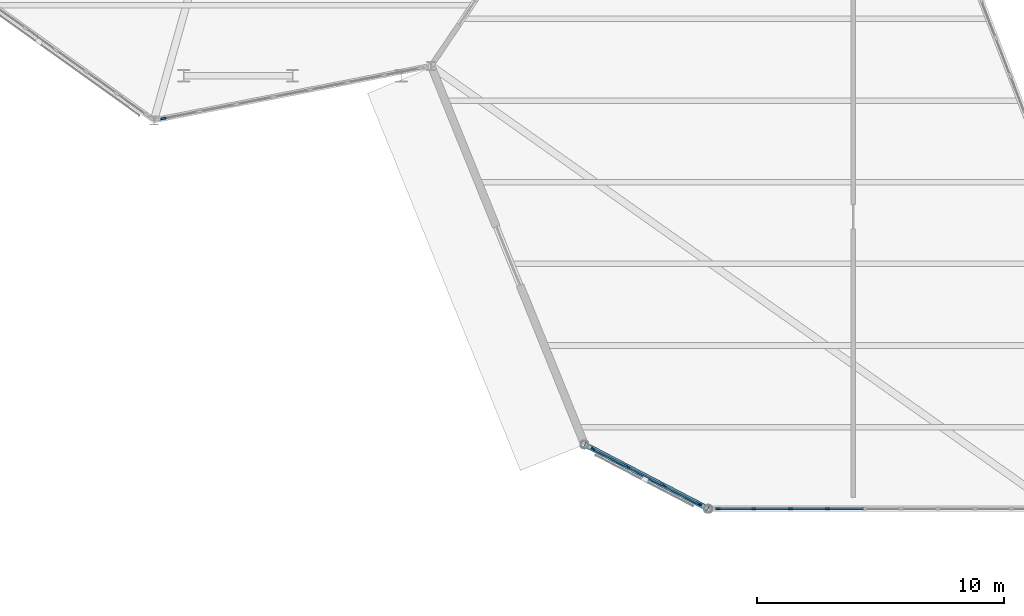
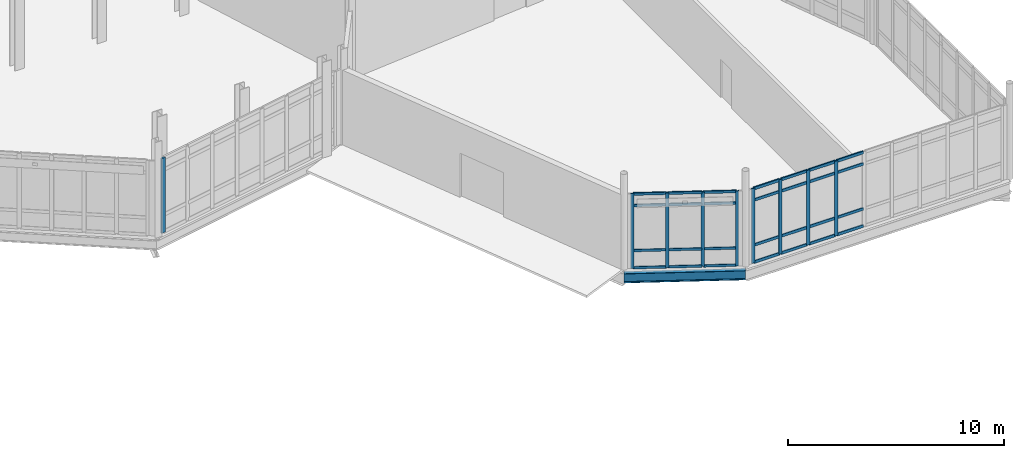
# One storey, part 53 of 113: 37 members, 1 beam, 3 elements without a shape of their own.
"""IFC4 building model written with IfcOpenShell, lengths in metres."""

from ifc_helpers import new_model, si_unit, direction, frame, origin, origin_2d, place, context, subcontext, project, spatial, rectangle, i_section, extrude, material, material_profile, profile_set, type_object, element, aggregate, save


model = new_model("IFC4")

# Units and contexts
model_context = context("Model", 3, precision=1e-05, world=origin(), true_north=direction((0.0, 1.0)))
body_context = subcontext(model_context, "Body", "Model", "MODEL_VIEW")
ifc_project = project(units=[si_unit("LENGTHUNIT", "METRE"), si_unit("AREAUNIT", "SQUARE_METRE"), si_unit("VOLUMEUNIT", "CUBIC_METRE"), si_unit("PLANEANGLEUNIT", "RADIAN"), si_unit("MASSUNIT", "GRAM", prefix="KILO")], contexts=[model_context])

# Site, building, storey
site_placement = place(None, origin())
site = spatial("IfcSite", under=ifc_project, at=site_placement, CompositionType="ELEMENT")
building_placement = place(site_placement, origin())
building = spatial("IfcBuilding", under=site, at=building_placement, Name="Tameran Prism Museum", CompositionType="ELEMENT")
storey_placement = place(building_placement, origin())
storey = spatial("IfcBuildingStorey", under=building, at=storey_placement, Name="L00", CompositionType="ELEMENT", Elevation=0.0)

# Beam
ifc_material_1 = material(Name="Steel Grade 300PLUS (300 MPa)", Category="steel")
ifc_material_profile_1 = material_profile(ifc_material_1, i_section(OverallWidth=0.208984375, OverallDepth=0.528076171875, WebThickness=0.009521484375, FlangeThickness=0.01318359375, FilletRadius=0.013916015625, at=origin_2d()))
ifc_profile_set_1 = profile_set([ifc_material_profile_1])
beam_type = type_object("IfcBeamType", Name="BM-SP530B", PredefinedType="SPANDREL", material=ifc_profile_set_1)
beam_placement = place(storey_placement, frame((147.300048828125, 2.60009765625, -0.50390625), z_axis=(0.887209708306, -0.461366376634, 0.0), x_axis=(0.461366376634, 0.887209708306, 0.0)))
element("IfcBeam", 1, at=beam_placement, inside=storey, type_object=beam_type, Name="Perimeter Spandrel SP-0049", PredefinedType="SPANDREL", context=body_context, shape_type="SweptSolid", body=[
    extrude(i_section(OverallWidth=0.208984375, OverallDepth=0.528076171875, WebThickness=0.009521484375, FlangeThickness=0.01318359375, FilletRadius=0.013916015625, at=origin_2d()), origin(), (0.0, 0.0, 1.0), 5.6357421875),
])

# Curtain wall, members
ifc_material_2 = material(Name="Anodised Aluminium 6063-T6 and Cyclone Solar Glass", Category="aluminium")
curtain_wall_type_1 = type_object("IfcCurtainWallType", Name="CW-FAC-494x422", PredefinedType="USERDEFINED", material=ifc_material_2)
curtain_wall_1_placement = place(storey_placement, origin())
curtain_wall_1 = element("IfcCurtainWall", 2, at=curtain_wall_1_placement, inside=storey, type_object=curtain_wall_type_1, Name="Unitised Curtain Wall CW-039", ObjectType="UNITISED CURTAIN WALL", PredefinedType="USERDEFINED")
ifc_material_3 = material(Name="Anodised Aluminium Alloy 6063-T6", Category="aluminium")
ifc_material_profile_2 = material_profile(ifc_material_3, rectangle(XDim=0.06494140625, YDim=0.159912109375, at=origin_2d()))
ifc_profile_set_2 = profile_set([ifc_material_profile_2])
member_type_1 = type_object("IfcMemberType", Name="CW-MUL-A", PredefinedType="MULLION", material=ifc_profile_set_2)
member_1_placement = place(storey_placement, frame((151.960205078125, 0.176025390625, 0.0), z_axis=(0.0, 0.0, 1.0), x_axis=(-0.461582398188, -0.887097339463, 0.0)))
member_1 = element("IfcMember", 3, at=member_1_placement, type_object=member_type_1, Name="CW-039 mullion 1", PredefinedType="MULLION", context=body_context, shape_type="SweptSolid", body=[
    extrude(rectangle(XDim=0.06494140625, YDim=0.159912109375, at=origin_2d()), origin(), (0.0, 0.0, 1.0), 4.219970703125),
])
member_2_placement = place(storey_placement, frame((150.52978515625, 0.92041015625, 0.0), z_axis=(0.0, 0.0, 1.0), x_axis=(-0.461582398188, -0.887097339463, 0.0)))
member_2 = element("IfcMember", 4, at=member_2_placement, type_object=member_type_1, Name="CW-039 mullion 2", PredefinedType="MULLION", context=body_context, shape_type="SweptSolid", body=[
    extrude(rectangle(XDim=0.06494140625, YDim=0.159912109375, at=origin_2d()), origin(), (0.0, 0.0, 1.0), 4.219970703125),
])
member_3_placement = place(storey_placement, frame((149.0703125, 1.6796875, 0.0), z_axis=(0.0, 0.0, 1.0), x_axis=(-0.461582398188, -0.887097339463, 0.0)))
member_3 = element("IfcMember", 5, at=member_3_placement, type_object=member_type_1, Name="CW-039 mullion 3", PredefinedType="MULLION", context=body_context, shape_type="SweptSolid", body=[
    extrude(rectangle(XDim=0.06494140625, YDim=0.159912109375, at=origin_2d()), origin(), (0.0, 0.0, 1.0), 4.219970703125),
])
member_4_placement = place(storey_placement, frame((147.639892578125, 2.424072265625, 0.0), z_axis=(0.0, 0.0, 1.0), x_axis=(-0.461582398188, -0.887097339463, 0.0)))
member_4 = element("IfcMember", 6, at=member_4_placement, type_object=member_type_1, Name="CW-039 mullion 4", PredefinedType="MULLION", context=body_context, shape_type="SweptSolid", body=[
    extrude(rectangle(XDim=0.06494140625, YDim=0.159912109375, at=origin_2d()), origin(), (0.0, 0.0, 1.0), 4.219970703125),
])

ifc_material_4 = material(Name="Anodised Aluminium 6063-T6 and Cyclone Solar Glass", Category="aluminium")
curtain_wall_type_2 = type_object("IfcCurtainWallType", Name="CW-FAC-1340x422", PredefinedType="USERDEFINED", material=ifc_material_4)
curtain_wall_2_placement = place(storey_placement, origin())
curtain_wall_2 = element("IfcCurtainWall", 7, at=curtain_wall_2_placement, inside=storey, type_object=curtain_wall_type_2, Name="Unitised Curtain Wall CW-040", ObjectType="UNITISED CURTAIN WALL", PredefinedType="USERDEFINED")
ifc_material_5 = material(Name="Anodised Aluminium Alloy 6063-T6", Category="aluminium")
ifc_material_profile_3 = material_profile(ifc_material_5, rectangle(XDim=0.070068359375, YDim=0.179931640625, at=origin_2d()))
ifc_profile_set_3 = profile_set([ifc_material_profile_3])
member_type_2 = type_object("IfcMemberType", Name="CW-MUL-B", PredefinedType="MULLION", material=ifc_profile_set_3)
member_5_placement = place(storey_placement, frame((157.11669921875, 0.0, 0.0), z_axis=(0.0, 0.0, 1.0), x_axis=(0.0, -1.0, 0.0)))
member_5 = element("IfcMember", 8, at=member_5_placement, type_object=member_type_2, Name="CW-040 mullion 7", PredefinedType="MULLION", context=body_context, shape_type="SweptSolid", body=[
    extrude(rectangle(XDim=0.070068359375, YDim=0.179931640625, at=origin_2d()), origin(), (0.0, 0.0, 1.0), 4.219970703125),
])
member_6_placement = place(storey_placement, frame((155.627685546875, 0.0, 0.0), z_axis=(0.0, 0.0, 1.0), x_axis=(0.0, -1.0, 0.0)))
member_6 = element("IfcMember", 9, at=member_6_placement, type_object=member_type_2, Name="CW-040 mullion 8", PredefinedType="MULLION", context=body_context, shape_type="SweptSolid", body=[
    extrude(rectangle(XDim=0.070068359375, YDim=0.179931640625, at=origin_2d()), origin(), (0.0, 0.0, 1.0), 4.219970703125),
])
member_7_placement = place(storey_placement, frame((154.138916015625, 0.0, 0.0), z_axis=(0.0, 0.0, 1.0), x_axis=(0.0, -1.0, 0.0)))
member_7 = element("IfcMember", 10, at=member_7_placement, type_object=member_type_2, Name="CW-040 mullion 9", PredefinedType="MULLION", context=body_context, shape_type="SweptSolid", body=[
    extrude(rectangle(XDim=0.070068359375, YDim=0.179931640625, at=origin_2d()), origin(), (0.0, 0.0, 1.0), 4.219970703125),
])
member_8_placement = place(storey_placement, frame((152.68505859375, 0.0, 0.0), z_axis=(0.0, 0.0, 1.0), x_axis=(0.0, -1.0, 0.0)))
member_8 = element("IfcMember", 11, at=member_8_placement, type_object=member_type_2, Name="CW-040 mullion 10", PredefinedType="MULLION", context=body_context, shape_type="SweptSolid", body=[
    extrude(rectangle(XDim=0.070068359375, YDim=0.179931640625, at=origin_2d()), origin(), (0.0, 0.0, 1.0), 4.219970703125),
])

# Curtain wall, member
ifc_material_6 = material(Name="Anodised Aluminium 6063-T6 and Cyclone Solar Glass", Category="aluminium")
curtain_wall_type_3 = type_object("IfcCurtainWallType", Name="CW-FAC-1065x422", PredefinedType="USERDEFINED", material=ifc_material_6)
curtain_wall_3_placement = place(storey_placement, origin())
curtain_wall_3 = element("IfcCurtainWall", 12, at=curtain_wall_3_placement, inside=storey, type_object=curtain_wall_type_3, Name="Unitised Curtain Wall CW-038", ObjectType="UNITISED CURTAIN WALL", PredefinedType="USERDEFINED")
ifc_material_7 = material(Name="Anodised Aluminium Alloy 6063-T6", Category="aluminium")
ifc_material_profile_4 = material_profile(ifc_material_7, rectangle(XDim=0.080078125, YDim=0.219970703125, at=origin_2d()))
ifc_profile_set_4 = profile_set([ifc_material_profile_4])
member_type_3 = type_object("IfcMemberType", Name="CW-MUL-D", PredefinedType="MULLION", material=ifc_profile_set_4)
member_9_placement = place(storey_placement, frame((130.2822265625, 15.774658203125, 0.0), z_axis=(0.0, 0.0, 1.0), x_axis=(0.192775964228, -0.981242797485, 0.0)))
member_9 = element("IfcMember", 13, at=member_9_placement, type_object=member_type_3, Name="CW-038 mullion 8", PredefinedType="MULLION", context=body_context, shape_type="SweptSolid", body=[
    extrude(rectangle(XDim=0.080078125, YDim=0.219970703125, at=origin_2d()), origin(), (0.0, 0.0, 1.0), 4.219970703125),
])
aggregate(curtain_wall_3, [member_9])

# Member
ifc_material_8 = material(Name="Anodised Aluminium Alloy 6063-T6", Category="aluminium")
ifc_material_profile_5 = material_profile(ifc_material_8, rectangle(XDim=0.06494140625, YDim=0.139892578125, at=origin_2d()))
ifc_profile_set_5 = profile_set([ifc_material_profile_5])
member_type_4 = type_object("IfcMemberType", Name="CW-TRN-A", PredefinedType="USERDEFINED", material=ifc_profile_set_5)
member_10_placement = place(storey_placement, frame((151.931396484375, 0.19091796875, 0.032470703125), z_axis=(-0.887085033398, 0.461606047968, 0.0), x_axis=(-0.461606047968, -0.887085033398, 0.0)))
member_10 = element("IfcMember", 14, at=member_10_placement, type_object=member_type_4, Name="CW-039 transom 1.1", ObjectType="TRANSOM", PredefinedType="USERDEFINED", context=body_context, shape_type="SweptSolid", body=[
    extrude(rectangle(XDim=0.06494140625, YDim=0.139892578125, at=origin_2d()), origin(), (0.0, 0.0, 1.0), 1.547607421875),
])

member_11_placement = place(storey_placement, frame((151.931396484375, 0.19091796875, 1.0), z_axis=(-0.887085033398, 0.461606047968, 0.0), x_axis=(-0.461606047968, -0.887085033398, 0.0)))
member_11 = element("IfcMember", 15, at=member_11_placement, type_object=member_type_4, Name="CW-039 transom 1.2", ObjectType="TRANSOM", PredefinedType="USERDEFINED", context=body_context, shape_type="SweptSolid", body=[
    extrude(rectangle(XDim=0.06494140625, YDim=0.139892578125, at=origin_2d()), origin(), (0.0, 0.0, 1.0), 1.547607421875),
])

member_12_placement = place(storey_placement, frame((151.931396484375, 0.19091796875, 3.5400390625), z_axis=(-0.887085033398, 0.461606047968, 0.0), x_axis=(-0.461606047968, -0.887085033398, 0.0)))
member_12 = element("IfcMember", 16, at=member_12_placement, type_object=member_type_4, Name="CW-039 transom 1.3", ObjectType="TRANSOM", PredefinedType="USERDEFINED", context=body_context, shape_type="SweptSolid", body=[
    extrude(rectangle(XDim=0.06494140625, YDim=0.139892578125, at=origin_2d()), origin(), (0.0, 0.0, 1.0), 1.547607421875),
])

member_13_placement = place(storey_placement, frame((151.931396484375, 0.19091796875, 4.1875), z_axis=(-0.887085033398, 0.461606047968, 0.0), x_axis=(-0.461606047968, -0.887085033398, 0.0)))
member_13 = element("IfcMember", 17, at=member_13_placement, type_object=member_type_4, Name="CW-039 transom 1.4", ObjectType="TRANSOM", PredefinedType="USERDEFINED", context=body_context, shape_type="SweptSolid", body=[
    extrude(rectangle(XDim=0.06494140625, YDim=0.139892578125, at=origin_2d()), origin(), (0.0, 0.0, 1.0), 1.547607421875),
])

member_14_placement = place(storey_placement, frame((150.500732421875, 0.935302734375, 0.032470703125), z_axis=(-0.887110519535, 0.461557067036, 0.0), x_axis=(-0.461557067036, -0.887110519535, 0.0)))
member_14 = element("IfcMember", 18, at=member_14_placement, type_object=member_type_4, Name="CW-039 transom 2.1", ObjectType="TRANSOM", PredefinedType="USERDEFINED", context=body_context, shape_type="SweptSolid", body=[
    extrude(rectangle(XDim=0.06494140625, YDim=0.139892578125, at=origin_2d()), origin(), (0.0, 0.0, 1.0), 1.580078125),
])

member_15_placement = place(storey_placement, frame((150.500732421875, 0.935302734375, 1.0), z_axis=(-0.887110519535, 0.461557067036, 0.0), x_axis=(-0.461557067036, -0.887110519535, 0.0)))
member_15 = element("IfcMember", 19, at=member_15_placement, type_object=member_type_4, Name="CW-039 transom 2.2", ObjectType="TRANSOM", PredefinedType="USERDEFINED", context=body_context, shape_type="SweptSolid", body=[
    extrude(rectangle(XDim=0.06494140625, YDim=0.139892578125, at=origin_2d()), origin(), (0.0, 0.0, 1.0), 1.580078125),
])

member_16_placement = place(storey_placement, frame((150.500732421875, 0.935302734375, 3.5400390625), z_axis=(-0.887110519535, 0.461557067036, 0.0), x_axis=(-0.461557067036, -0.887110519535, 0.0)))
member_16 = element("IfcMember", 20, at=member_16_placement, type_object=member_type_4, Name="CW-039 transom 2.3", ObjectType="TRANSOM", PredefinedType="USERDEFINED", context=body_context, shape_type="SweptSolid", body=[
    extrude(rectangle(XDim=0.06494140625, YDim=0.139892578125, at=origin_2d()), origin(), (0.0, 0.0, 1.0), 1.580078125),
])

member_17_placement = place(storey_placement, frame((150.500732421875, 0.935302734375, 4.1875), z_axis=(-0.887110519535, 0.461557067036, 0.0), x_axis=(-0.461557067036, -0.887110519535, 0.0)))
member_17 = element("IfcMember", 21, at=member_17_placement, type_object=member_type_4, Name="CW-039 transom 2.4", ObjectType="TRANSOM", PredefinedType="USERDEFINED", context=body_context, shape_type="SweptSolid", body=[
    extrude(rectangle(XDim=0.06494140625, YDim=0.139892578125, at=origin_2d()), origin(), (0.0, 0.0, 1.0), 1.580078125),
])

member_18_placement = place(storey_placement, frame((149.04150390625, 1.694580078125, 0.032470703125), z_axis=(-0.887085033398, 0.461606047968, 0.0), x_axis=(-0.461606047968, -0.887085033398, 0.0)))
member_18 = element("IfcMember", 22, at=member_18_placement, type_object=member_type_4, Name="CW-039 transom 3.1", ObjectType="TRANSOM", PredefinedType="USERDEFINED", context=body_context, shape_type="SweptSolid", body=[
    extrude(rectangle(XDim=0.06494140625, YDim=0.139892578125, at=origin_2d()), origin(), (0.0, 0.0, 1.0), 1.547607421875),
])

member_19_placement = place(storey_placement, frame((149.04150390625, 1.694580078125, 1.0), z_axis=(-0.887085033398, 0.461606047968, 0.0), x_axis=(-0.461606047968, -0.887085033398, 0.0)))
member_19 = element("IfcMember", 23, at=member_19_placement, type_object=member_type_4, Name="CW-039 transom 3.2", ObjectType="TRANSOM", PredefinedType="USERDEFINED", context=body_context, shape_type="SweptSolid", body=[
    extrude(rectangle(XDim=0.06494140625, YDim=0.139892578125, at=origin_2d()), origin(), (0.0, 0.0, 1.0), 1.547607421875),
])

member_20_placement = place(storey_placement, frame((149.04150390625, 1.694580078125, 3.5400390625), z_axis=(-0.887085033398, 0.461606047968, 0.0), x_axis=(-0.461606047968, -0.887085033398, 0.0)))
member_20 = element("IfcMember", 24, at=member_20_placement, type_object=member_type_4, Name="CW-039 transom 3.3", ObjectType="TRANSOM", PredefinedType="USERDEFINED", context=body_context, shape_type="SweptSolid", body=[
    extrude(rectangle(XDim=0.06494140625, YDim=0.139892578125, at=origin_2d()), origin(), (0.0, 0.0, 1.0), 1.547607421875),
])

member_21_placement = place(storey_placement, frame((149.04150390625, 1.694580078125, 4.1875), z_axis=(-0.887085033398, 0.461606047968, 0.0), x_axis=(-0.461606047968, -0.887085033398, 0.0)))
member_21 = element("IfcMember", 25, at=member_21_placement, type_object=member_type_4, Name="CW-039 transom 3.4", ObjectType="TRANSOM", PredefinedType="USERDEFINED", context=body_context, shape_type="SweptSolid", body=[
    extrude(rectangle(XDim=0.06494140625, YDim=0.139892578125, at=origin_2d()), origin(), (0.0, 0.0, 1.0), 1.547607421875),
])

aggregate(curtain_wall_1, [member_1, member_2, member_3, member_4, member_10, member_11, member_12, member_13, member_14, member_15, member_16, member_17, member_18, member_19, member_20, member_21])

ifc_material_9 = material(Name="Anodised Aluminium Alloy 6063-T6", Category="aluminium")
ifc_material_profile_6 = material_profile(ifc_material_9, rectangle(XDim=0.070068359375, YDim=0.155029296875, at=origin_2d()))
ifc_profile_set_6 = profile_set([ifc_material_profile_6])
member_type_5 = type_object("IfcMemberType", Name="CW-TRN-B", PredefinedType="USERDEFINED", material=ifc_profile_set_6)
member_22_placement = place(storey_placement, frame((158.570556640625, 0.0, 0.034912109375), z_axis=(-1.0, 0.0, 0.0), x_axis=(0.0, -1.0, 0.0)))
member_22 = element("IfcMember", 26, at=member_22_placement, type_object=member_type_5, Name="CW-040 transom 6.1", ObjectType="TRANSOM", PredefinedType="USERDEFINED", context=body_context, shape_type="SweptSolid", body=[
    extrude(rectangle(XDim=0.070068359375, YDim=0.155029296875, at=origin_2d()), origin(), (0.0, 0.0, 1.0), 1.4189453125),
])

member_23_placement = place(storey_placement, frame((158.570556640625, 0.0, 1.0), z_axis=(-1.0, 0.0, 0.0), x_axis=(0.0, -1.0, 0.0)))
member_23 = element("IfcMember", 27, at=member_23_placement, type_object=member_type_5, Name="CW-040 transom 6.2", ObjectType="TRANSOM", PredefinedType="USERDEFINED", context=body_context, shape_type="SweptSolid", body=[
    extrude(rectangle(XDim=0.070068359375, YDim=0.155029296875, at=origin_2d()), origin(), (0.0, 0.0, 1.0), 1.4189453125),
])

member_24_placement = place(storey_placement, frame((158.570556640625, 0.0, 3.5400390625), z_axis=(-1.0, 0.0, 0.0), x_axis=(0.0, -1.0, 0.0)))
member_24 = element("IfcMember", 28, at=member_24_placement, type_object=member_type_5, Name="CW-040 transom 6.3", ObjectType="TRANSOM", PredefinedType="USERDEFINED", context=body_context, shape_type="SweptSolid", body=[
    extrude(rectangle(XDim=0.070068359375, YDim=0.155029296875, at=origin_2d()), origin(), (0.0, 0.0, 1.0), 1.4189453125),
])

member_25_placement = place(storey_placement, frame((158.570556640625, 0.0, 4.18505859375), z_axis=(-1.0, 0.0, 0.0), x_axis=(0.0, -1.0, 0.0)))
member_25 = element("IfcMember", 29, at=member_25_placement, type_object=member_type_5, Name="CW-040 transom 6.4", ObjectType="TRANSOM", PredefinedType="USERDEFINED", context=body_context, shape_type="SweptSolid", body=[
    extrude(rectangle(XDim=0.070068359375, YDim=0.155029296875, at=origin_2d()), origin(), (0.0, 0.0, 1.0), 1.4189453125),
])

member_26_placement = place(storey_placement, frame((157.081787109375, 0.0, 0.034912109375), z_axis=(-1.0, 0.0, 0.0), x_axis=(0.0, -1.0, 0.0)))
member_26 = element("IfcMember", 30, at=member_26_placement, type_object=member_type_5, Name="CW-040 transom 7.1", ObjectType="TRANSOM", PredefinedType="USERDEFINED", context=body_context, shape_type="SweptSolid", body=[
    extrude(rectangle(XDim=0.070068359375, YDim=0.155029296875, at=origin_2d()), origin(), (0.0, 0.0, 1.0), 1.4189453125),
])

member_27_placement = place(storey_placement, frame((157.081787109375, 0.0, 1.0), z_axis=(-1.0, 0.0, 0.0), x_axis=(0.0, -1.0, 0.0)))
member_27 = element("IfcMember", 31, at=member_27_placement, type_object=member_type_5, Name="CW-040 transom 7.2", ObjectType="TRANSOM", PredefinedType="USERDEFINED", context=body_context, shape_type="SweptSolid", body=[
    extrude(rectangle(XDim=0.070068359375, YDim=0.155029296875, at=origin_2d()), origin(), (0.0, 0.0, 1.0), 1.4189453125),
])

member_28_placement = place(storey_placement, frame((157.081787109375, 0.0, 3.5400390625), z_axis=(-1.0, 0.0, 0.0), x_axis=(0.0, -1.0, 0.0)))
member_28 = element("IfcMember", 32, at=member_28_placement, type_object=member_type_5, Name="CW-040 transom 7.3", ObjectType="TRANSOM", PredefinedType="USERDEFINED", context=body_context, shape_type="SweptSolid", body=[
    extrude(rectangle(XDim=0.070068359375, YDim=0.155029296875, at=origin_2d()), origin(), (0.0, 0.0, 1.0), 1.4189453125),
])

member_29_placement = place(storey_placement, frame((157.081787109375, 0.0, 4.18505859375), z_axis=(-1.0, 0.0, 0.0), x_axis=(0.0, -1.0, 0.0)))
member_29 = element("IfcMember", 33, at=member_29_placement, type_object=member_type_5, Name="CW-040 transom 7.4", ObjectType="TRANSOM", PredefinedType="USERDEFINED", context=body_context, shape_type="SweptSolid", body=[
    extrude(rectangle(XDim=0.070068359375, YDim=0.155029296875, at=origin_2d()), origin(), (0.0, 0.0, 1.0), 1.4189453125),
])

member_30_placement = place(storey_placement, frame((155.5927734375, 0.0, 0.034912109375), z_axis=(-1.0, 0.0, 0.0), x_axis=(0.0, -1.0, 0.0)))
member_30 = element("IfcMember", 34, at=member_30_placement, type_object=member_type_5, Name="CW-040 transom 8.1", ObjectType="TRANSOM", PredefinedType="USERDEFINED", context=body_context, shape_type="SweptSolid", body=[
    extrude(rectangle(XDim=0.070068359375, YDim=0.155029296875, at=origin_2d()), origin(), (0.0, 0.0, 1.0), 1.4189453125),
])

member_31_placement = place(storey_placement, frame((155.5927734375, 0.0, 1.0), z_axis=(-1.0, 0.0, 0.0), x_axis=(0.0, -1.0, 0.0)))
member_31 = element("IfcMember", 35, at=member_31_placement, type_object=member_type_5, Name="CW-040 transom 8.2", ObjectType="TRANSOM", PredefinedType="USERDEFINED", context=body_context, shape_type="SweptSolid", body=[
    extrude(rectangle(XDim=0.070068359375, YDim=0.155029296875, at=origin_2d()), origin(), (0.0, 0.0, 1.0), 1.4189453125),
])

member_32_placement = place(storey_placement, frame((155.5927734375, 0.0, 3.5400390625), z_axis=(-1.0, 0.0, 0.0), x_axis=(0.0, -1.0, 0.0)))
member_32 = element("IfcMember", 36, at=member_32_placement, type_object=member_type_5, Name="CW-040 transom 8.3", ObjectType="TRANSOM", PredefinedType="USERDEFINED", context=body_context, shape_type="SweptSolid", body=[
    extrude(rectangle(XDim=0.070068359375, YDim=0.155029296875, at=origin_2d()), origin(), (0.0, 0.0, 1.0), 1.4189453125),
])

member_33_placement = place(storey_placement, frame((155.5927734375, 0.0, 4.18505859375), z_axis=(-1.0, 0.0, 0.0), x_axis=(0.0, -1.0, 0.0)))
member_33 = element("IfcMember", 37, at=member_33_placement, type_object=member_type_5, Name="CW-040 transom 8.4", ObjectType="TRANSOM", PredefinedType="USERDEFINED", context=body_context, shape_type="SweptSolid", body=[
    extrude(rectangle(XDim=0.070068359375, YDim=0.155029296875, at=origin_2d()), origin(), (0.0, 0.0, 1.0), 1.4189453125),
])

member_34_placement = place(storey_placement, frame((154.10400390625, 0.0, 0.034912109375), z_axis=(-1.0, 0.0, 0.0), x_axis=(0.0, -1.0, 0.0)))
member_34 = element("IfcMember", 38, at=member_34_placement, type_object=member_type_5, Name="CW-040 transom 9.1", ObjectType="TRANSOM", PredefinedType="USERDEFINED", context=body_context, shape_type="SweptSolid", body=[
    extrude(rectangle(XDim=0.070068359375, YDim=0.155029296875, at=origin_2d()), origin(), (0.0, 0.0, 1.0), 1.384033203125),
])

member_35_placement = place(storey_placement, frame((154.10400390625, 0.0, 1.0), z_axis=(-1.0, 0.0, 0.0), x_axis=(0.0, -1.0, 0.0)))
member_35 = element("IfcMember", 39, at=member_35_placement, type_object=member_type_5, Name="CW-040 transom 9.2", ObjectType="TRANSOM", PredefinedType="USERDEFINED", context=body_context, shape_type="SweptSolid", body=[
    extrude(rectangle(XDim=0.070068359375, YDim=0.155029296875, at=origin_2d()), origin(), (0.0, 0.0, 1.0), 1.384033203125),
])

member_36_placement = place(storey_placement, frame((154.10400390625, 0.0, 3.5400390625), z_axis=(-1.0, 0.0, 0.0), x_axis=(0.0, -1.0, 0.0)))
member_36 = element("IfcMember", 40, at=member_36_placement, type_object=member_type_5, Name="CW-040 transom 9.3", ObjectType="TRANSOM", PredefinedType="USERDEFINED", context=body_context, shape_type="SweptSolid", body=[
    extrude(rectangle(XDim=0.070068359375, YDim=0.155029296875, at=origin_2d()), origin(), (0.0, 0.0, 1.0), 1.384033203125),
])

member_37_placement = place(storey_placement, frame((154.10400390625, 0.0, 4.18505859375), z_axis=(-1.0, 0.0, 0.0), x_axis=(0.0, -1.0, 0.0)))
member_37 = element("IfcMember", 41, at=member_37_placement, type_object=member_type_5, Name="CW-040 transom 9.4", ObjectType="TRANSOM", PredefinedType="USERDEFINED", context=body_context, shape_type="SweptSolid", body=[
    extrude(rectangle(XDim=0.070068359375, YDim=0.155029296875, at=origin_2d()), origin(), (0.0, 0.0, 1.0), 1.384033203125),
])

aggregate(curtain_wall_2, [member_5, member_6, member_7, member_8, member_22, member_23, member_24, member_25, member_26, member_27, member_28, member_29, member_30, member_31, member_32, member_33, member_34, member_35, member_36, member_37])

save(model, "model.ifc")
